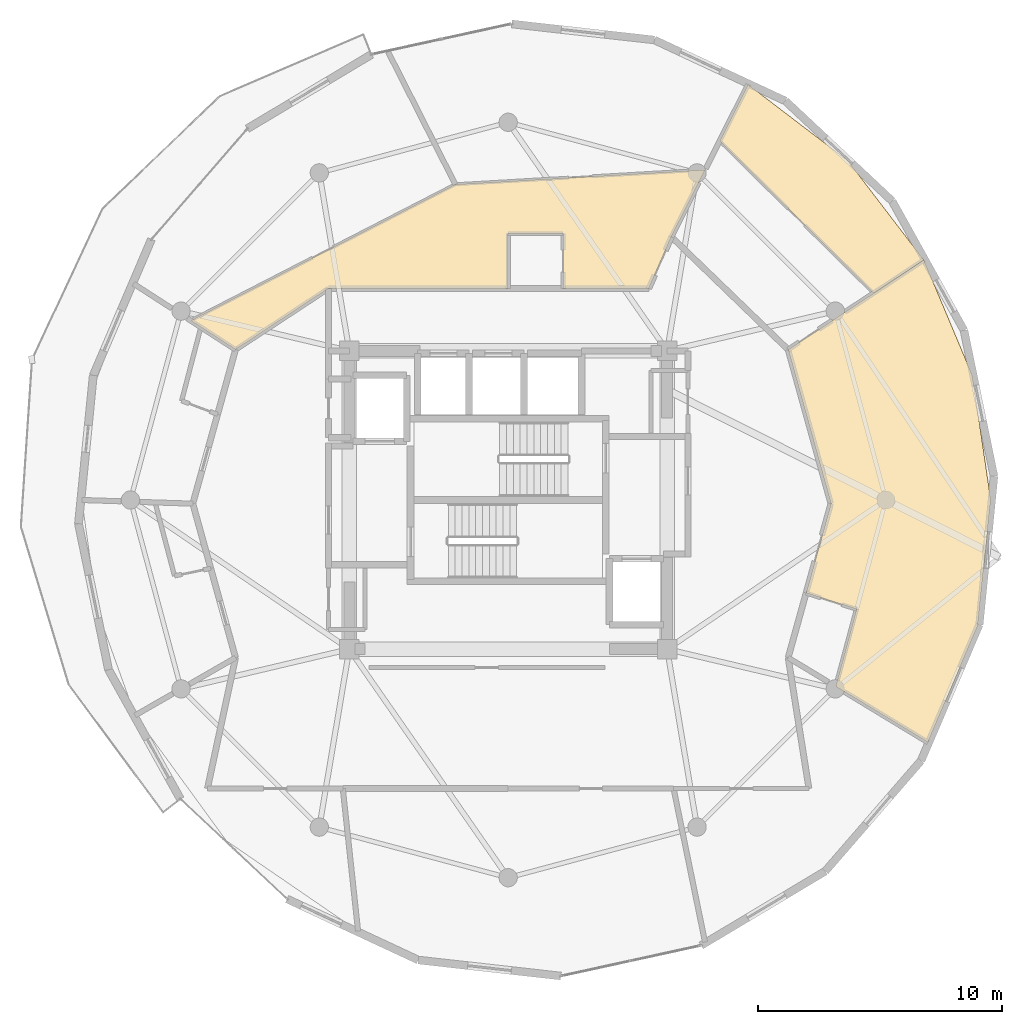
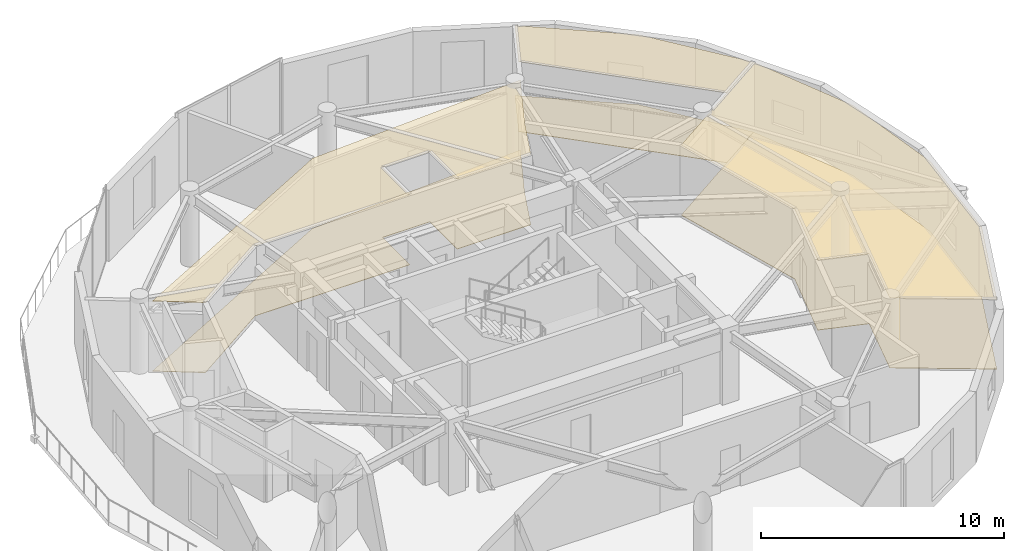
# One storey, part 15 of 15: 6 coverings.
"""IFC4 building model written with IfcOpenShell, lengths in metres."""

from ifc_helpers import new_model, si_unit, direction, frame, origin, place, context, subcontext, project, spatial, polyline, outline, extrude, material, layer, layer_set, type_object, element, save


model = new_model("IFC4")

# Units and contexts
model_context = context("Model", 3, precision=1e-05, world=origin(), true_north=direction((0.0, 1.0)))
body_context = subcontext(model_context, "Body", "Model", "MODEL_VIEW")
ifc_project = project(units=[si_unit("LENGTHUNIT", "METRE"), si_unit("AREAUNIT", "SQUARE_METRE"), si_unit("VOLUMEUNIT", "CUBIC_METRE"), si_unit("PLANEANGLEUNIT", "RADIAN"), si_unit("MASSUNIT", "GRAM", prefix="KILO")], contexts=[model_context])

# Site, building, storey
site_placement = place(None, origin())
site = spatial("IfcSite", under=ifc_project, at=site_placement, CompositionType="ELEMENT")
building_placement = place(site_placement, origin())
building = spatial("IfcBuilding", under=site, at=building_placement, Name="Solvirekh Grand Hotel", CompositionType="ELEMENT")
storey_placement = place(building_placement, frame((0.0, 0.0, 270.60009765625)))
storey = spatial("IfcBuildingStorey", under=building, at=storey_placement, Name="L70", CompositionType="ELEMENT", Elevation=270.60009765625)

# Coverings
ifc_material_1 = material(Name="Acoustic Mineral Ceiling Tile")
ifc_layer_1 = layer(ifc_material_1, 0.02490234375)
ifc_layer_set_1 = layer_set([ifc_layer_1], Name="Acoustic Mineral Ceiling Tile")
covering_type_1 = type_object("IfcCoveringType", Name="Cov_Ceiling_Acoustic", PredefinedType="CEILING", material=ifc_layer_set_1)
covering_1_placement = place(storey_placement, frame((0.0, 0.0, 3.52001953125)))
element("IfcCovering", 1, at=covering_1_placement, inside=storey, type_object=covering_type_1, Name="L70 Panorama Suite 7201 Inner Suite Lounge acoustic ceiling", PredefinedType="CEILING", context=body_context, shape_type="SweptSolid", body=[
    extrude(outline(polyline([(0.0, 8.64990234375), (0.0, 10.89990234375), (2.25, 10.89990234375), (2.25, 8.64990234375), (5.75, 8.64990234375), (6.675048828125, 10.761962890625), (8.054931640625, 13.50390625), (-2.160888671875, 12.908935546875), (-12.988037109375, 7.3369140625), (-11.152099609375, 6.14990234375), (-7.35009765625, 8.64990234375), (0.0, 8.64990234375)])), origin(), (0.0, 0.0, 1.0), 0.017822265625),
])
covering_2_placement = place(storey_placement, frame((0.0, 0.0, 3.52001953125)))
element("IfcCovering", 2, at=covering_2_placement, inside=storey, type_object=covering_type_1, Name="L70 Diplomatic Suite 7204 Living Room acoustic ceiling", PredefinedType="CEILING", context=body_context, shape_type="SweptSolid", body=[
    extrude(outline(polyline([(14.2470703125, -4.465087890625), (13.39599609375, -7.626953125), (17.1689453125, -9.912109375), (19.2060546875, -5.14599609375), (19.738037109375, 0.0), (18.987060546875, 5.087890625), (17.001953125, 9.81591796875), (11.451904296875, 6.14990234375), (13.199951171875, -0.14990234375), (12.18603515625, -3.803955078125), (14.2470703125, -4.465087890625)])), origin(), (0.0, 0.0, 1.0), 0.017822265625),
])
covering_3_placement = place(storey_placement, frame((0.0, 0.0, 3.52001953125)))
element("IfcCovering", 3, at=covering_3_placement, inside=storey, type_object=covering_type_1, Name="L70 Diplomatic Suite 7204 Master Bedroom acoustic ceiling", PredefinedType="CEILING", context=body_context, shape_type="SweptSolid", body=[
    extrude(outline(polyline([(17.001953125, 9.81591796875), (13.885009765625, 13.885009765625), (9.81103515625, 16.992919921875), (8.65087890625, 14.68798828125), (14.947998046875, 8.4599609375), (17.001953125, 9.81591796875)])), origin(), (0.0, 0.0, 1.0), 0.017822265625),
])
ifc_material_2 = material(Name="Porcelain Stoneware Flooring", Category="masonry")
ifc_layer_2 = layer(ifc_material_2, 0.030029296875)
ifc_layer_set_2 = layer_set([ifc_layer_2], Name="Porcelain Stoneware Flooring")
covering_type_2 = type_object("IfcCoveringType", Name="Cov_Floor_Stone", PredefinedType="FLOORING", material=ifc_layer_set_2)
covering_4_placement = place(storey_placement, origin())
element("IfcCovering", 4, at=covering_4_placement, inside=storey, type_object=covering_type_2, Name="L70 Panorama Suite 7201 Inner Suite Lounge polished granite flooring", PredefinedType="FLOORING", context=body_context, shape_type="SweptSolid", body=[
    extrude(outline(polyline([(0.0, 8.64990234375), (0.0, 10.89990234375), (2.25, 10.89990234375), (2.25, 8.64990234375), (5.75, 8.64990234375), (6.675048828125, 10.761962890625), (8.054931640625, 13.50390625), (-2.160888671875, 12.908935546875), (-12.988037109375, 7.3369140625), (-11.152099609375, 6.14990234375), (-7.35009765625, 8.64990234375), (0.0, 8.64990234375)])), origin(), (0.0, 0.0, 1.0), 0.02001953125),
])
covering_5_placement = place(storey_placement, origin())
element("IfcCovering", 5, at=covering_5_placement, inside=storey, type_object=covering_type_2, Name="L70 Diplomatic Suite 7204 Living Room polished granite flooring", PredefinedType="FLOORING", context=body_context, shape_type="SweptSolid", body=[
    extrude(outline(polyline([(14.2470703125, -4.465087890625), (13.39599609375, -7.626953125), (17.1689453125, -9.912109375), (19.2060546875, -5.14599609375), (19.738037109375, 0.0), (18.987060546875, 5.087890625), (17.001953125, 9.81591796875), (11.451904296875, 6.14990234375), (13.199951171875, -0.14990234375), (12.18603515625, -3.803955078125), (14.2470703125, -4.465087890625)])), origin(), (0.0, 0.0, 1.0), 0.02001953125),
])
covering_6_placement = place(storey_placement, origin())
element("IfcCovering", 6, at=covering_6_placement, inside=storey, type_object=covering_type_2, Name="L70 Diplomatic Suite 7204 Master Bedroom polished granite flooring", PredefinedType="FLOORING", context=body_context, shape_type="SweptSolid", body=[
    extrude(outline(polyline([(17.001953125, 9.81591796875), (13.885009765625, 13.885009765625), (9.81103515625, 16.992919921875), (8.65087890625, 14.68798828125), (14.947998046875, 8.4599609375), (17.001953125, 9.81591796875)])), origin(), (0.0, 0.0, 1.0), 0.02001953125),
])

save(model, "model.ifc")
